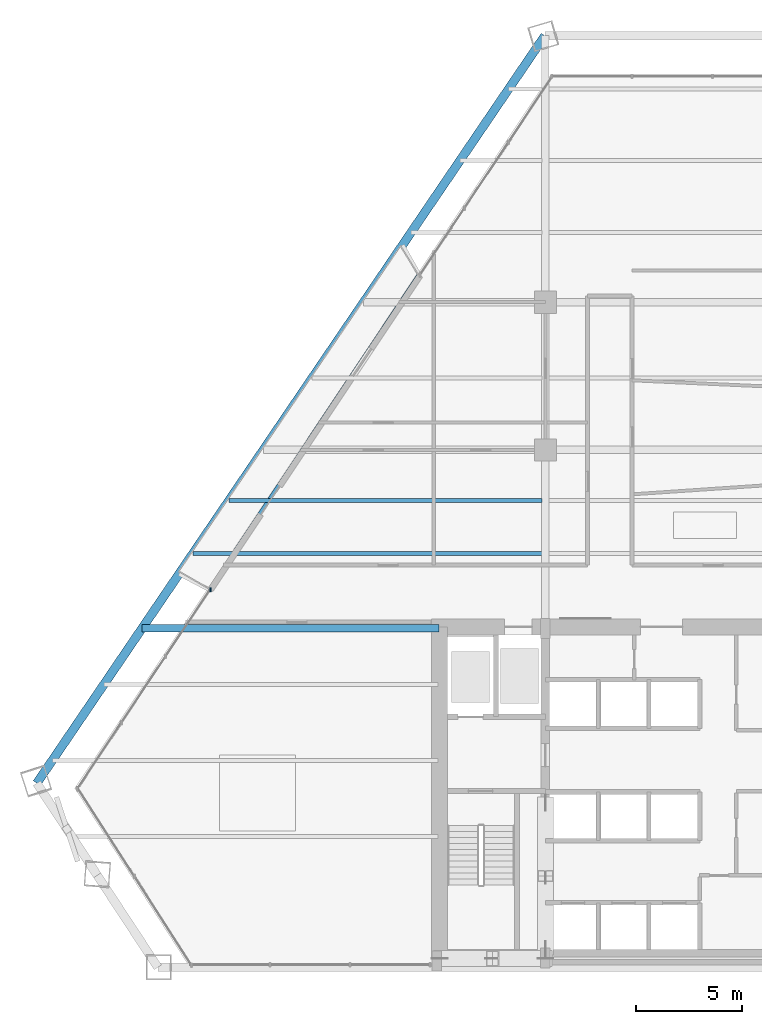
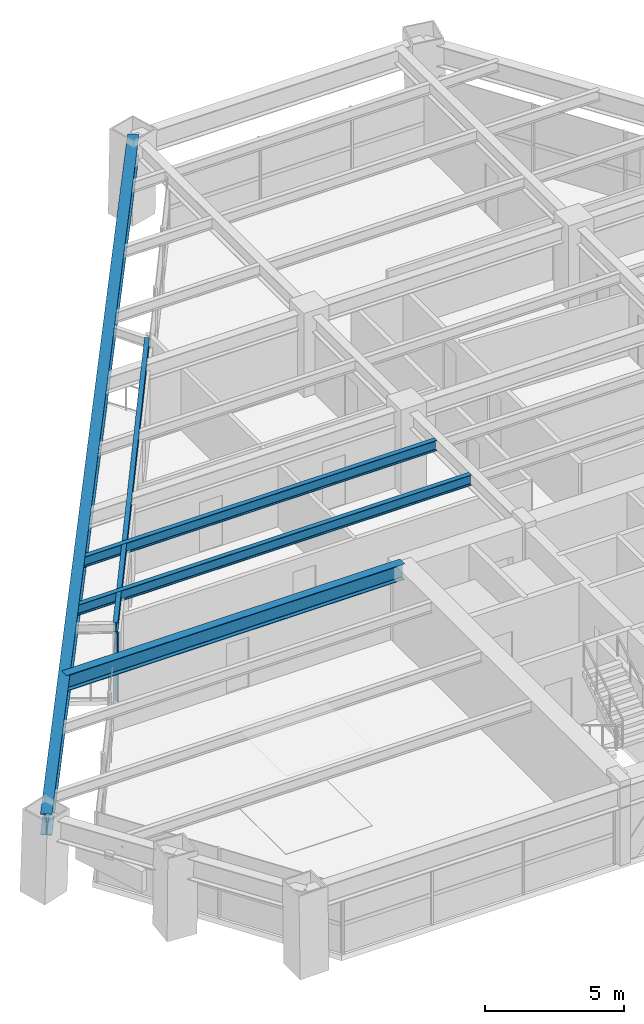
# One storey, part 4 of 15: 5 beams, 1 member, 1 element without a shape of its own.
"""IFC4 building model written with IfcOpenShell, lengths in metres."""

from ifc_helpers import new_model, si_unit, direction, frame, origin, origin_2d, place, context, subcontext, project, spatial, rectangle, i_section, extrude, source, transform, mapped, material, material_profile, profile_set, type_object, type_shapes, element, aggregate, save


model = new_model("IFC4")

# Units and contexts
model_context = context("Model", 3, precision=1e-05, world=origin(), true_north=direction((0.0, 1.0)))
body_context = subcontext(model_context, "Body", "Model", "MODEL_VIEW")
ifc_project = project(units=[si_unit("LENGTHUNIT", "METRE"), si_unit("AREAUNIT", "SQUARE_METRE"), si_unit("VOLUMEUNIT", "CUBIC_METRE"), si_unit("PLANEANGLEUNIT", "RADIAN"), si_unit("MASSUNIT", "GRAM", prefix="KILO")], contexts=[model_context])

# Site, building, storey
site_placement = place(None, origin())
site = spatial("IfcSite", under=ifc_project, at=site_placement, CompositionType="ELEMENT")
building_placement = place(site_placement, origin())
building = spatial("IfcBuilding", under=site, at=building_placement, Name="Varnakhor Terracotta Tower", CompositionType="ELEMENT")
storey_placement = place(building_placement, frame((0.0, 0.0, 109.89990234375)))
storey = spatial("IfcBuildingStorey", under=building, at=storey_placement, Name="L27", CompositionType="ELEMENT", Elevation=109.89990234375)

# Beams
ifc_material_1 = material(Name="Steel S355", Category="steel")
ifc_material_profile_1 = material_profile(ifc_material_1, i_section(OverallWidth=0.41796875, OverallDepth=0.927001953125, WebThickness=0.01904296875, FlangeThickness=0.031982421875, FilletRadius=0.01806640625, at=origin_2d()), Name="W36X231")
ifc_profile_set_1 = profile_set([ifc_material_profile_1], Name="Steel S355")
beam_type_1 = type_object("IfcBeamType", Name="BM-W36X231", PredefinedType="BEAM", material=ifc_profile_set_1)
shared_shape_1 = source(origin(), body_context, "Body", "SweptSolid", [
    extrude(i_section(OverallWidth=0.41796875, OverallDepth=0.927001953125, WebThickness=0.01904296875, FlangeThickness=0.031982421875, FilletRadius=0.01806640625, at=origin_2d()), origin(), (0.0, 0.0, 1.0), 42.802001953125),
])
beam_1_placement = place(storey_placement, frame((-5.530517578125, 44.118408203125, 2.986572265625), z_axis=(-0.5621190425, -0.827056335481, 0.0), x_axis=(0.827056335481, -0.5621190425, 0.0)))
element("IfcBeam", 1, at=beam_1_placement, inside=storey, type_object=beam_type_1, Name="L27 Perimeter Spandrel 6", PredefinedType="BEAM", context=body_context, shape_type="MappedRepresentation", body=[
    mapped(shared_shape_1, transform((0.0, 0.0, 0.0), scale=1.0)),
])
ifc_material_profile_2 = material_profile(ifc_material_1, i_section(OverallWidth=0.179931640625, OverallDepth=0.39990234375, WebThickness=0.008544921875, FlangeThickness=0.013427734375, FilletRadius=0.01806640625, at=origin_2d()), Name="IPE400")
ifc_profile_set_2 = profile_set([ifc_material_profile_2], Name="Steel S355")
beam_type_2 = type_object("IfcBeamType", Name="JST-IPE400", PredefinedType="JOIST", material=ifc_profile_set_2)
shared_shape_2 = source(origin(), body_context, "Body", "SweptSolid", [
    extrude(i_section(OverallWidth=0.179931640625, OverallDepth=0.39990234375, WebThickness=0.008544921875, FlangeThickness=0.013427734375, FilletRadius=0.01806640625, at=origin_2d()), origin(), (0.0, 0.0, 1.0), 17.9501953125),
])
beam_2_placement = place(storey_placement, frame((-11.483642578125, 32.822509765625, 3.25), z_axis=(-0.553833615109, -0.832627363696, 0.0), x_axis=(0.832627363696, -0.553833615109, 0.0)))
element("IfcBeam", 2, at=beam_2_placement, inside=storey, type_object=beam_type_2, Name="L27 Loggia Edge Beam 2", PredefinedType="JOIST", context=body_context, shape_type="MappedRepresentation", body=[
    mapped(shared_shape_2, transform((0.0, 0.0, 0.0), scale=1.0)),
])
ifc_material_profile_3 = material_profile(ifc_material_1, i_section(OverallWidth=0.35498046875, OverallDepth=0.695068359375, WebThickness=0.014892578125, FlangeThickness=0.02490234375, FilletRadius=0.01806640625, at=origin_2d()), Name="W27X146")
ifc_profile_set_3 = profile_set([ifc_material_profile_3], Name="Steel S355")
beam_type_3 = type_object("IfcBeamType", Name="BM-W27X146", PredefinedType="BEAM", material=ifc_profile_set_3)
shared_shape_3 = source(origin(), body_context, "Body", "SweptSolid", [
    extrude(i_section(OverallWidth=0.35498046875, OverallDepth=0.695068359375, WebThickness=0.014892578125, FlangeThickness=0.02490234375, FilletRadius=0.01806640625, at=origin_2d()), origin(), (0.0, 0.0, 1.0), 14.0576171875),
])
beam_3_placement = place(storey_placement, frame((-24.607666015625, 16.050048828125, 3.1025390625), z_axis=(1.0, 0.0, 0.0), x_axis=(0.0, 1.0, 0.0)))
element("IfcBeam", 3, at=beam_3_placement, inside=storey, type_object=beam_type_3, Name="L27 Wing Girder W", PredefinedType="BEAM", context=body_context, shape_type="MappedRepresentation", body=[
    mapped(shared_shape_3, transform((0.0, 0.0, 0.0), scale=1.0)),
])
ifc_material_profile_4 = material_profile(ifc_material_1, i_section(OverallWidth=0.19189453125, OverallDepth=0.462890625, WebThickness=0.010498046875, FlangeThickness=0.017578125, FilletRadius=0.01806640625, at=origin_2d()), Name="W18X60")
ifc_profile_set_4 = profile_set([ifc_material_profile_4], Name="Steel S355")
beam_type_4 = type_object("IfcBeamType", Name="JST-W18X60", PredefinedType="JOIST", material=ifc_profile_set_4)
shared_shape_4 = source(origin(), body_context, "Body", "SweptSolid", [
    extrude(i_section(OverallWidth=0.19189453125, OverallDepth=0.462890625, WebThickness=0.010498046875, FlangeThickness=0.017578125, FilletRadius=0.01806640625, at=origin_2d()), origin(), (0.0, 0.0, 1.0), 16.521240234375),
])
beam_4_placement = place(storey_placement, frame((-22.19482421875, 19.60009765625, 3.218505859375), z_axis=(1.0, 0.0, 0.0), x_axis=(0.0, 1.0, 0.0)))
element("IfcBeam", 4, at=beam_4_placement, inside=storey, type_object=beam_type_4, Name="L27 Composite Floor Joist 4-1", PredefinedType="JOIST", context=body_context, shape_type="MappedRepresentation", body=[
    mapped(shared_shape_4, transform((0.0, 0.0, 0.0), scale=1.0)),
])
shared_shape_5 = source(origin(), body_context, "Body", "SweptSolid", [
    extrude(i_section(OverallWidth=0.19189453125, OverallDepth=0.462890625, WebThickness=0.010498046875, FlangeThickness=0.017578125, FilletRadius=0.01806640625, at=origin_2d()), origin(), (0.0, 0.0, 1.0), 14.822021484375),
])
beam_5_placement = place(storey_placement, frame((-20.49560546875, 22.10009765625, 3.218505859375), z_axis=(1.0, 0.0, 0.0), x_axis=(0.0, 1.0, 0.0)))
element("IfcBeam", 5, at=beam_5_placement, inside=storey, type_object=beam_type_4, Name="L27 Composite Floor Joist 5-1", PredefinedType="JOIST", context=body_context, shape_type="MappedRepresentation", body=[
    mapped(shared_shape_5, transform((0.0, 0.0, 0.0), scale=1.0)),
])

# Curtain wall, member
ifc_material_2 = material(Name="Anodised Aluminium Curtain Wall System", Category="aluminium")
curtain_wall_type = type_object("IfcCurtainWallType", Name="CW-SYS-LOW-OFFICE", PredefinedType="NOTDEFINED", material=ifc_material_2)
curtain_wall_placement = place(storey_placement, origin())
curtain_wall = element("IfcCurtainWall", 6, at=curtain_wall_placement, inside=storey, type_object=curtain_wall_type, Name="L27 W Facet Curtain Wall 1", PredefinedType="NOTDEFINED")
ifc_material_3 = material(Name="Anodised Aluminium 6063-T6", Category="aluminium")
ifc_material_profile_5 = material_profile(ifc_material_3, rectangle(XDim=0.074951171875, YDim=0.18505859375, at=origin_2d()), Name="ALU MULLION 75x185")
ifc_profile_set_5 = profile_set([ifc_material_profile_5], Name="Anodised Aluminium 6063-T6")
member_type = type_object("IfcMemberType", Name="CWM-02", PredefinedType="MULLION", material=ifc_profile_set_5)
shared_shape_6 = source(origin(), body_context, "Body", "SweptSolid", [
    extrude(rectangle(XDim=0.074951171875, YDim=0.18505859375, at=origin_2d()), origin(), (0.0, 0.0, 1.0), 3.030029296875),
])
type_shapes(member_type, [shared_shape_6])
member_placement = place(storey_placement, frame((-21.36279296875, 17.878662109375, 0.0), z_axis=(0.0, 0.0, 1.0), x_axis=(1.0, 0.0, 0.0)))
member = element("IfcMember", 7, at=member_placement, type_object=member_type, Name="L27 W Loggia Jamb Closure Mullion 1", PredefinedType="MULLION", context=body_context, shape_type="MappedRepresentation", body=[
    mapped(shared_shape_6, transform((0.0, 0.0, 0.0), scale=1.0)),
])
aggregate(curtain_wall, [member])

save(model, "model.ifc")
